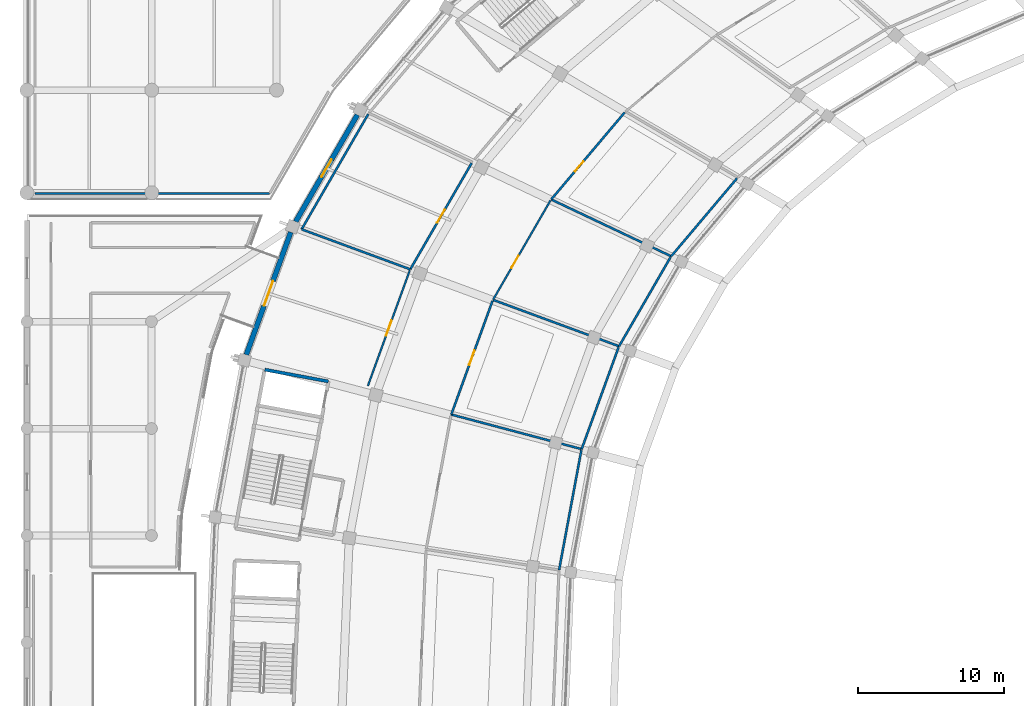
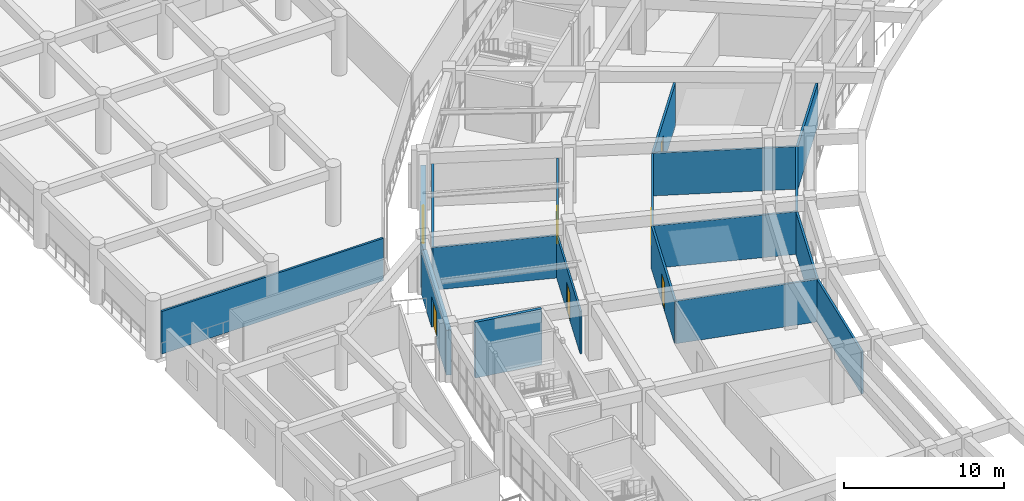
# One storey, part 99 of 145: 18 walls, 6 doors, 1 window, 7 openings.
"""IFC4 building model written with IfcOpenShell, lengths in metres."""

from ifc_helpers import new_model, si_unit, direction, frame, frame_2d, origin, place, context, subcontext, project, spatial, rectangle, extrude, material, layer, layer_set, type_object, element, fill, save


model = new_model("IFC4")

# Units and contexts
model_context = context("Model", 3, precision=1e-05, world=origin(), true_north=direction((0.0, 1.0)))
body_context = subcontext(model_context, "Body", "Model", "MODEL_VIEW")
ifc_project = project(units=[si_unit("LENGTHUNIT", "METRE"), si_unit("AREAUNIT", "SQUARE_METRE"), si_unit("VOLUMEUNIT", "CUBIC_METRE"), si_unit("PLANEANGLEUNIT", "RADIAN"), si_unit("MASSUNIT", "GRAM", prefix="KILO")], contexts=[model_context])

# Site, building, storey
site_placement = place(None, origin())
site = spatial("IfcSite", under=ifc_project, at=site_placement, CompositionType="ELEMENT")
building_placement = place(site_placement, origin())
building = spatial("IfcBuilding", under=site, at=building_placement, Name="Mphavela Belvedere Stadium", CompositionType="ELEMENT")
storey_placement = place(building_placement, frame((0.0, 0.0, 10.199951171875)))
storey = spatial("IfcBuildingStorey", under=building, at=storey_placement, Name="L02", CompositionType="ELEMENT", Elevation=10.199951171875)

# Wall
ifc_material_1 = material(Name="Concrete C40/50", Category="concrete")
ifc_layer_1 = layer(ifc_material_1, 0.219970703125)
ifc_layer_set_1 = layer_set([ifc_layer_1], Name="Concrete C40/50")
wall_type_1 = type_object("IfcWallType", Name="WAL-CORE-SHEAR-220", PredefinedType="SHEAR", material=ifc_layer_set_1)
wall_1_placement = place(storey_placement, frame((20.575927734375, 112.11474609375, 0.0), z_axis=(0.0, 0.0, 1.0), x_axis=(-0.983189729951, 0.18258684213, 0.0)))
element("IfcWall", 1, at=wall_1_placement, inside=storey, type_object=wall_type_1, Name="Core C06 shear wall L02 right", PredefinedType="SHEAR", context=body_context, shape_type="SweptSolid", body=[
    extrude(rectangle(XDim=4.409912109375, YDim=0.219970703125, at=frame_2d((2.205078125, 0.0))), origin(), (0.0, 0.0, 1.0), 4.25),
])

# Wall, opening, window
ifc_material_2 = material(Name="Honed ashlar limestone masonry", Category="masonry")
ifc_layer_2 = layer(ifc_material_2, 0.35009765625)
ifc_layer_set_2 = layer_set([ifc_layer_2], Name="Honed ashlar limestone masonry")
wall_type_2 = type_object("IfcWallType", Name="WAL-EXT-ASHLAR-350", PredefinedType="STANDARD", material=ifc_layer_set_2)
wall_2_placement = place(storey_placement, frame((22.558349609375, 130.31689453125, 0.0), z_axis=(0.0, 0.0, 1.0), x_axis=(-0.500572209627, -0.865694786255, 0.0)))
wall_2 = element("IfcWall", 2, at=wall_2_placement, inside=storey, type_object=wall_type_2, Name="Classical ashlar facade wall L02-21", PredefinedType="STANDARD", context=body_context, shape_type="SweptSolid", body=[
    extrude(rectangle(XDim=8.421142578125, YDim=0.35009765625, at=frame_2d((4.21044921875, 0.0))), origin(), (0.0, 0.0, 1.0), 3.420166015625),
])
opening_1_placement = place(wall_2_placement, frame((3.5205078125, 0.0, 0.89990234375)))
opening_1 = element("IfcOpeningElement", 3, at=opening_1_placement, cuts=wall_2, Name="Opening W-025", PredefinedType="OPENING", context=body_context, shape_type="SweptSolid", body=[
    extrude(rectangle(XDim=1.3798828125, YDim=1.949951171875, at=frame_2d((0.68994140625, 0.97509765625))), frame((0.0, 0.18505859375, 0.0), z_axis=(0.0, -1.0, 0.0), x_axis=(1.0, 0.0, 0.0)), (0.0, 0.0, 1.0), 0.3701171875),
])
ifc_material_3 = material(Name="Bronze-anodised thermally broken aluminium window", Category="aluminium")
window_type = type_object("IfcWindowType", Name="WIN-EXT-25", PartitioningType="SINGLE_PANEL", PredefinedType="WINDOW", material=ifc_material_3)
window_placement = place(opening_1_placement, origin())
window = element("IfcWindow", 4, at=window_placement, inside=storey, type_object=window_type, Name="Belvedere gallery window W-025", OverallHeight=1.949951171875, OverallWidth=1.3798828125, PartitioningType="SINGLE_PANEL", PredefinedType="WINDOW", context=body_context, shape_type="SweptSolid", body=[
    extrude(rectangle(XDim=1.3798828125, YDim=1.949951171875, at=frame_2d((0.68994140625, 0.97509765625))), frame((0.0, 0.030029296875, 0.0), z_axis=(0.0, -1.0, 0.0), x_axis=(1.0, 0.0, 0.0)), (0.0, 0.0, 1.0), 0.06005859375),
])
fill(opening_1, window)

# Wall, opening, door
wall_3_placement = place(storey_placement, frame((14.97119140625, 113.9365234375, 0.0), z_axis=(0.0, 0.0, 1.0), x_axis=(0.34103858998, 0.940049296657, 0.0)))
wall_3 = element("IfcWall", 5, at=wall_3_placement, inside=storey, type_object=wall_type_2, Name="Classical link portal wall L02-22", PredefinedType="STANDARD", context=body_context, shape_type="SweptSolid", body=[
    extrude(rectangle(XDim=8.905517578125, YDim=0.35009765625, at=frame_2d((4.45263671875, 0.0))), origin(), (0.0, 0.0, 1.0), 3.420166015625),
])
opening_2_placement = place(wall_3_placement, frame((3.552734375, 0.0, 0.0)))
opening_2 = element("IfcOpeningElement", 6, at=opening_2_placement, cuts=wall_3, Name="Opening ID-9221", PredefinedType="OPENING", context=body_context, shape_type="SweptSolid", body=[
    extrude(rectangle(XDim=1.800048828125, YDim=2.39990234375, at=frame_2d((0.89990234375, 1.199951171875))), frame((0.0, 0.18505859375, 0.0), z_axis=(0.0, -1.0, 0.0), x_axis=(1.0, 0.0, 0.0)), (0.0, 0.0, 1.0), 0.3701171875),
])
ifc_material_4 = material(Name="Glazed bronze-anodised steel exit doorset", Category="steel")
door_type_1 = type_object("IfcDoorType", Name="DR-EXT-01", OperationType="NOTDEFINED", PredefinedType="DOOR", material=ifc_material_4)
door_1_placement = place(opening_2_placement, origin())
door_1 = element("IfcDoor", 7, at=door_1_placement, inside=storey, type_object=door_type_1, Name="Wing promenade link doorset L02-22", OperationType="DOUBLE_DOOR_SINGLE_SWING", OverallHeight=2.39990234375, OverallWidth=1.800048828125, PredefinedType="DOOR", context=body_context, shape_type="SweptSolid", body=[
    extrude(rectangle(XDim=1.800048828125, YDim=2.39990234375, at=frame_2d((0.89990234375, 1.199951171875))), frame((0.0, 0.02490234375, 0.0), z_axis=(0.0, -1.0, 0.0), x_axis=(1.0, 0.0, 0.0)), (0.0, 0.0, 1.0), 0.050048828125),
])
fill(opening_2, door_1)

ifc_material_5 = material(Name="Moisture-resistant sanitary partition assembly")
ifc_layer_3 = layer(ifc_material_5, 0.125)
ifc_layer_set_3 = layer_set([ifc_layer_3], Name="Moisture-resistant sanitary partition assembly")
wall_type_3 = type_object("IfcWallType", Name="WAL-PART-125", PredefinedType="PARTITIONING", material=ifc_layer_set_3)
wall_4_placement = place(storey_placement, frame((31.81689453125, 117.687744140625, 0.0), z_axis=(0.0, 0.0, 1.0), x_axis=(0.500584301803, 0.865687794063, 0.0)))
wall_4 = element("IfcWall", 8, at=wall_4_placement, inside=storey, type_object=wall_type_3, Name="Room L02-86 corridor partition", PredefinedType="PARTITIONING", context=body_context, shape_type="SweptSolid", body=[
    extrude(rectangle(XDim=7.8369140625, YDim=0.125, at=frame_2d((3.91845703125, 0.0))), origin(), (0.0, 0.0, 1.0), 3.25),
])
opening_3_placement = place(wall_4_placement, frame((2.49609375, 0.0, 0.0)))
opening_3 = element("IfcOpeningElement", 9, at=opening_3_placement, cuts=wall_4, Name="Opening ID-195", PredefinedType="OPENING", context=body_context, shape_type="SweptSolid", body=[
    extrude(rectangle(XDim=0.97998046875, YDim=2.199951171875, at=frame_2d((0.489990234375, 1.10009765625))), frame((0.0, 0.072509765625, 0.0), z_axis=(0.0, -1.0, 0.0), x_axis=(1.0, 0.0, 0.0)), (0.0, 0.0, 1.0), 0.14501953125),
])
ifc_material_6 = material(Name="Hardwood acoustic timber doorset", Category="wood")
door_type_2 = type_object("IfcDoorType", Name="DR-INT-15", OperationType="NOTDEFINED", PredefinedType="DOOR", material=ifc_material_6)
door_2_placement = place(opening_3_placement, origin())
door_2 = element("IfcDoor", 10, at=door_2_placement, inside=storey, type_object=door_type_2, Name="Room L02-86 entrance door ID-195", OperationType="SINGLE_SWING_LEFT", OverallHeight=2.199951171875, OverallWidth=0.97998046875, PredefinedType="DOOR", context=body_context, shape_type="SweptSolid", body=[
    extrude(rectangle(XDim=0.97998046875, YDim=2.199951171875, at=frame_2d((0.489990234375, 1.10009765625))), frame((0.0, 0.02490234375, 0.0), z_axis=(0.0, -1.0, 0.0), x_axis=(1.0, 0.0, 0.0)), (0.0, 0.0, 1.0), 0.050048828125),
])
fill(opening_3, door_2)

wall_5_placement = place(storey_placement, frame((26.133544921875, 119.6962890625, 0.0), z_axis=(0.0, 0.0, 1.0), x_axis=(-0.341044550343, -0.940047134287, 0.0)))
wall_5 = element("IfcWall", 11, at=wall_5_placement, inside=storey, type_object=wall_type_3, Name="Room L02-90 corridor partition", PredefinedType="PARTITIONING", context=body_context, shape_type="SweptSolid", body=[
    extrude(rectangle(XDim=8.39208984375, YDim=0.125, at=frame_2d((4.196044921875, 0.0))), origin(), (0.0, 0.0, 1.0), 3.25),
])
opening_4_placement = place(wall_5_placement, frame((3.64599609375, 0.0, 0.0)))
opening_4 = element("IfcOpeningElement", 12, at=opening_4_placement, cuts=wall_5, Name="Opening ID-198", PredefinedType="OPENING", context=body_context, shape_type="SweptSolid", body=[
    extrude(rectangle(XDim=1.10009765625, YDim=2.199951171875, at=frame_2d((0.550048828125, 1.10009765625))), frame((0.0, 0.072509765625, 0.0), z_axis=(0.0, -1.0, 0.0), x_axis=(1.0, 0.0, 0.0)), (0.0, 0.0, 1.0), 0.14501953125),
])
ifc_material_7 = material(Name="Hardwood acoustic timber doorset", Category="wood")
door_type_3 = type_object("IfcDoorType", Name="DR-INT-18", OperationType="NOTDEFINED", PredefinedType="DOOR", material=ifc_material_7)
door_3_placement = place(opening_4_placement, origin())
door_3 = element("IfcDoor", 13, at=door_3_placement, inside=storey, type_object=door_type_3, Name="Room L02-90 entrance door ID-198", OperationType="SINGLE_SWING_RIGHT", OverallHeight=2.199951171875, OverallWidth=1.10009765625, PredefinedType="DOOR", context=body_context, shape_type="SweptSolid", body=[
    extrude(rectangle(XDim=1.10009765625, YDim=2.199951171875, at=frame_2d((0.550048828125, 1.10009765625))), frame((0.0, 0.02490234375, 0.0), z_axis=(0.0, -1.0, 0.0), x_axis=(1.0, 0.0, 0.0)), (0.0, 0.0, 1.0), 0.050048828125),
])
fill(opening_4, door_3)

ifc_material_8 = material(Name="Acoustic gypsum stud partition assembly")
ifc_layer_4 = layer(ifc_material_8, 0.14990234375)
ifc_layer_set_4 = layer_set([ifc_layer_4], Name="Acoustic gypsum stud partition assembly")
wall_type_4 = type_object("IfcWallType", Name="WAL-PART-150", PredefinedType="PARTITIONING", material=ifc_layer_set_4)
wall_6_placement = place(storey_placement, frame((35.787841796875, 124.5380859375, 0.0), z_axis=(0.0, 0.0, 1.0), x_axis=(0.645180817826, 0.764029915847, 0.0)))
wall_6 = element("IfcWall", 14, at=wall_6_placement, inside=storey, type_object=wall_type_4, Name="Room L02-83 corridor partition", PredefinedType="PARTITIONING", context=body_context, shape_type="SweptSolid", body=[
    extrude(rectangle(XDim=7.779296875, YDim=0.14990234375, at=frame_2d((3.8896484375, 0.0))), origin(), (0.0, 0.0, 1.0), 3.25),
])
opening_5_placement = place(wall_6_placement, frame((2.50390625, 0.0, 0.0)))
opening_5 = element("IfcOpeningElement", 15, at=opening_5_placement, cuts=wall_6, Name="Opening ID-193", PredefinedType="OPENING", context=body_context, shape_type="SweptSolid", body=[
    extrude(rectangle(XDim=0.89990234375, YDim=2.199951171875, at=frame_2d((0.449951171875, 1.10009765625))), frame((0.0, 0.0849609375, 0.0), z_axis=(0.0, -1.0, 0.0), x_axis=(1.0, 0.0, 0.0)), (0.0, 0.0, 1.0), 0.169921875),
])
ifc_material_9 = material(Name="Hardwood acoustic timber doorset", Category="wood")
door_type_4 = type_object("IfcDoorType", Name="DR-INT-13", OperationType="NOTDEFINED", PredefinedType="DOOR", material=ifc_material_9)
door_4_placement = place(opening_5_placement, origin())
door_4 = element("IfcDoor", 16, at=door_4_placement, inside=storey, type_object=door_type_4, Name="Room L02-83 entrance door ID-193", OperationType="SINGLE_SWING_LEFT", OverallHeight=2.199951171875, OverallWidth=0.89990234375, PredefinedType="DOOR", context=body_context, shape_type="SweptSolid", body=[
    extrude(rectangle(XDim=0.89990234375, YDim=2.199951171875, at=frame_2d((0.449951171875, 1.10009765625))), frame((0.0, 0.02490234375, 0.0), z_axis=(0.0, -1.0, 0.0), x_axis=(1.0, 0.0, 0.0)), (0.0, 0.0, 1.0), 0.050048828125),
])
fill(opening_5, door_4)

wall_7_placement = place(storey_placement, frame((30.35888671875, 127.01904296875, 0.0), z_axis=(0.0, 0.0, 1.0), x_axis=(-0.500559280672, -0.865702262059, 0.0)))
wall_7 = element("IfcWall", 17, at=wall_7_placement, inside=storey, type_object=wall_type_4, Name="Room L02-87 corridor partition", PredefinedType="PARTITIONING", context=body_context, shape_type="SweptSolid", body=[
    extrude(rectangle(XDim=8.37451171875, YDim=0.14990234375, at=frame_2d((4.187255859375, 0.0))), origin(), (0.0, 0.0, 1.0), 3.25),
])
opening_6_placement = place(wall_7_placement, frame((3.67724609375, 0.0, 0.0)))
opening_6 = element("IfcOpeningElement", 18, at=opening_6_placement, cuts=wall_7, Name="Opening ID-196", PredefinedType="OPENING", context=body_context, shape_type="SweptSolid", body=[
    extrude(rectangle(XDim=1.02001953125, YDim=2.199951171875, at=frame_2d((0.510009765625, 1.10009765625))), frame((0.0, 0.0849609375, 0.0), z_axis=(0.0, -1.0, 0.0), x_axis=(1.0, 0.0, 0.0)), (0.0, 0.0, 1.0), 0.169921875),
])
ifc_material_10 = material(Name="Hardwood acoustic timber doorset", Category="wood")
door_type_5 = type_object("IfcDoorType", Name="DR-INT-16", OperationType="NOTDEFINED", PredefinedType="DOOR", material=ifc_material_10)
door_5_placement = place(opening_6_placement, origin())
door_5 = element("IfcDoor", 19, at=door_5_placement, inside=storey, type_object=door_type_5, Name="Room L02-87 entrance door ID-196", OperationType="SINGLE_SWING_RIGHT", OverallHeight=2.199951171875, OverallWidth=1.02001953125, PredefinedType="DOOR", context=body_context, shape_type="SweptSolid", body=[
    extrude(rectangle(XDim=1.02001953125, YDim=2.199951171875, at=frame_2d((0.510009765625, 1.10009765625))), frame((0.0, 0.02490234375, 0.0), z_axis=(0.0, -1.0, 0.0), x_axis=(1.0, 0.0, 0.0)), (0.0, 0.0, 1.0), 0.050048828125),
])
fill(opening_6, door_5)

wall_8_placement = place(storey_placement, frame((28.967529296875, 109.856201171875, 0.0), z_axis=(0.0, 0.0, 1.0), x_axis=(0.341044733968, 0.940047067669, 0.0)))
wall_8 = element("IfcWall", 20, at=wall_8_placement, inside=storey, type_object=wall_type_4, Name="Room L02-89 corridor partition", PredefinedType="PARTITIONING", context=body_context, shape_type="SweptSolid", body=[
    extrude(rectangle(XDim=8.25390625, YDim=0.14990234375, at=frame_2d((4.126953125, 0.0))), origin(), (0.0, 0.0, 1.0), 3.25),
])
opening_7_placement = place(wall_8_placement, frame((3.596923828125, 0.0, 0.0)))
opening_7 = element("IfcOpeningElement", 21, at=opening_7_placement, cuts=wall_8, Name="Opening ID-197", PredefinedType="OPENING", context=body_context, shape_type="SweptSolid", body=[
    extrude(rectangle(XDim=1.06005859375, YDim=2.199951171875, at=frame_2d((0.530029296875, 1.10009765625))), frame((0.0, 0.0849609375, 0.0), z_axis=(0.0, -1.0, 0.0), x_axis=(1.0, 0.0, 0.0)), (0.0, 0.0, 1.0), 0.169921875),
])
ifc_material_11 = material(Name="Hardwood acoustic timber doorset", Category="wood")
door_type_6 = type_object("IfcDoorType", Name="DR-INT-17", OperationType="NOTDEFINED", PredefinedType="DOOR", material=ifc_material_11)
door_6_placement = place(opening_7_placement, origin())
door_6 = element("IfcDoor", 22, at=door_6_placement, inside=storey, type_object=door_type_6, Name="Room L02-89 entrance door ID-197", OperationType="SINGLE_SWING_LEFT", OverallHeight=2.199951171875, OverallWidth=1.06005859375, PredefinedType="DOOR", context=body_context, shape_type="SweptSolid", body=[
    extrude(rectangle(XDim=1.06005859375, YDim=2.199951171875, at=frame_2d((0.530029296875, 1.10009765625))), frame((0.0, 0.02490234375, 0.0), z_axis=(0.0, -1.0, 0.0), x_axis=(1.0, 0.0, 0.0)), (0.0, 0.0, 1.0), 0.050048828125),
])
fill(opening_7, door_6)

# Walls
wall_9_placement = place(storey_placement, frame((48.474609375, 125.983154296875, 0.0), z_axis=(0.0, 0.0, 1.0), x_axis=(-0.64516899819, -0.764039896716, 0.0)))
element("IfcWall", 23, at=wall_9_placement, inside=storey, type_object=wall_type_4, Name="Room divider partition L02-0345", PredefinedType="PARTITIONING", context=body_context, shape_type="SweptSolid", body=[
    extrude(rectangle(XDim=6.966552734375, YDim=0.14990234375, at=frame_2d((3.4833984375, 0.0))), origin(), (0.0, 0.0, 1.0), 3.25),
])
wall_10_placement = place(storey_placement, frame((43.97998046875, 120.660400390625, 0.0), z_axis=(0.0, 0.0, 1.0), x_axis=(-0.903857372861, 0.427833904132, 0.0)))
element("IfcWall", 24, at=wall_10_placement, inside=storey, type_object=wall_type_4, Name="Room divider partition L02-0346", PredefinedType="PARTITIONING", context=body_context, shape_type="SweptSolid", body=[
    extrude(rectangle(XDim=9.0634765625, YDim=0.14990234375, at=frame_2d((4.53173828125, 0.0))), origin(), (0.0, 0.0, 1.0), 3.25),
])
wall_11_placement = place(storey_placement, frame((43.934326171875, 120.593505859375, 0.0), z_axis=(0.0, 0.0, 1.0), x_axis=(-0.500549390525, -0.865707980583, 0.0)))
element("IfcWall", 25, at=wall_11_placement, inside=storey, type_object=wall_type_4, Name="Room divider partition L02-0349", PredefinedType="PARTITIONING", context=body_context, shape_type="SweptSolid", body=[
    extrude(rectangle(XDim=7.01806640625, YDim=0.14990234375, at=frame_2d((3.509033203125, 0.0))), origin(), (0.0, 0.0, 1.0), 3.25),
])
wall_12_placement = place(storey_placement, frame((40.42138671875, 114.517822265625, 0.0), z_axis=(0.0, 0.0, 1.0), x_axis=(-0.938348571445, 0.345690553049, 0.0)))
element("IfcWall", 26, at=wall_12_placement, inside=storey, type_object=wall_type_4, Name="Room divider partition L02-0350", PredefinedType="PARTITIONING", context=body_context, shape_type="SweptSolid", body=[
    extrude(rectangle(XDim=9.169921875, YDim=0.14990234375, at=frame_2d((4.5849609375, 0.0))), origin(), (0.0, 0.0, 1.0), 3.25),
])
wall_13_placement = place(storey_placement, frame((26.1669921875, 119.769287109375, 0.0), z_axis=(0.0, 0.0, 1.0), x_axis=(-0.938352081903, 0.34568102405, 0.0)))
element("IfcWall", 27, at=wall_13_placement, inside=storey, type_object=wall_type_4, Name="Room divider partition L02-0351", PredefinedType="PARTITIONING", context=body_context, shape_type="SweptSolid", body=[
    extrude(rectangle(XDim=7.90380859375, YDim=0.14990234375, at=frame_2d((3.951904296875, 0.0))), origin(), (0.0, 0.0, 1.0), 3.25),
])
wall_14_placement = place(storey_placement, frame((18.75048828125, 122.50146484375, 0.0), z_axis=(0.0, 0.0, 1.0), x_axis=(0.500574107164, 0.865693689036, 0.0)))
element("IfcWall", 28, at=wall_14_placement, inside=storey, type_object=wall_type_4, Name="Room divider partition L02-0352", PredefinedType="PARTITIONING", context=body_context, shape_type="SweptSolid", body=[
    extrude(rectangle(XDim=9.080322265625, YDim=0.14990234375, at=frame_2d((4.5400390625, 0.0))), origin(), (0.0, 0.0, 1.0), 3.25),
])
wall_15_placement = place(storey_placement, frame((40.387939453125, 114.44482421875, 0.0), z_axis=(0.0, 0.0, 1.0), x_axis=(-0.34104817416, -0.940045819576, 0.0)))
element("IfcWall", 29, at=wall_15_placement, inside=storey, type_object=wall_type_4, Name="Room divider partition L02-0353", PredefinedType="PARTITIONING", context=body_context, shape_type="SweptSolid", body=[
    extrude(rectangle(XDim=7.391845703125, YDim=0.14990234375, at=frame_2d((3.69580078125, 0.0))), origin(), (0.0, 0.0, 1.0), 3.25),
])
wall_16_placement = place(storey_placement, frame((37.866943359375, 107.49609375, 0.0), z_axis=(0.0, 0.0, 1.0), x_axis=(-0.96658744027, 0.256337122383, 0.0)))
element("IfcWall", 30, at=wall_16_placement, inside=storey, type_object=wall_type_4, Name="Room divider partition L02-0354", PredefinedType="PARTITIONING", context=body_context, shape_type="SweptSolid", body=[
    extrude(rectangle(XDim=9.20703125, YDim=0.14990234375, at=frame_2d((4.603515625, 0.0))), origin(), (0.0, 0.0, 1.0), 3.25),
])
wall_17_placement = place(storey_placement, frame((37.845947265625, 107.4189453125, 0.0), z_axis=(0.0, 0.0, 1.0), x_axis=(-0.182614898171, -0.983184519287, 0.0)))
element("IfcWall", 31, at=wall_17_placement, inside=storey, type_object=wall_type_4, Name="Room divider partition L02-0355", PredefinedType="PARTITIONING", context=body_context, shape_type="SweptSolid", body=[
    extrude(rectangle(XDim=8.315673828125, YDim=0.14990234375, at=frame_2d((4.15771484375, 0.0))), origin(), (0.0, 0.0, 1.0), 3.25),
])
wall_18_placement = place(storey_placement, frame((16.5673828125, 124.949951171875, 0.0), z_axis=(0.0, 0.0, 1.0), x_axis=(-1.0, 0.0, 0.0)))
element("IfcWall", 32, at=wall_18_placement, inside=storey, type_object=wall_type_4, Name="Room divider partition L02-0994", PredefinedType="PARTITIONING", context=body_context, shape_type="SweptSolid", body=[
    extrude(rectangle(XDim=16.017333984375, YDim=0.14990234375, at=frame_2d((8.0087890625, 0.0))), origin(), (0.0, 0.0, 1.0), 3.25),
])

save(model, "model.ifc")
